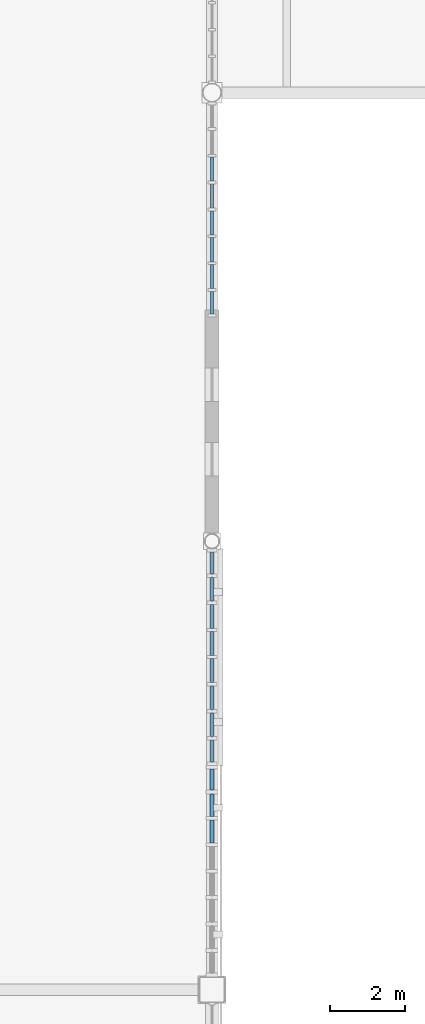
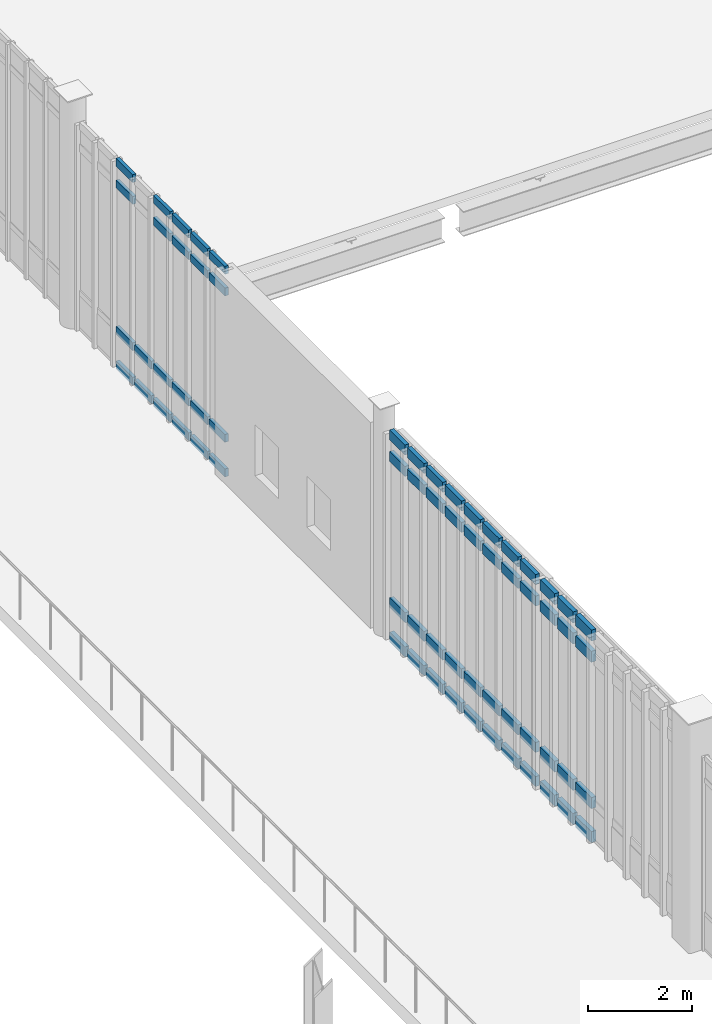
# One storey, part 51 of 135: 66 members, 3 elements without a shape of their own.
"""IFC4 building model written with IfcOpenShell, lengths in metres."""

from ifc_helpers import new_model, si_unit, direction, frame, origin, origin_2d, place, context, subcontext, project, spatial, rectangle, extrude, material, material_profile, profile_set, type_object, element, aggregate, save


model = new_model("IFC4")

# Units and contexts
model_context = context("Model", 3, precision=1e-05, world=origin(), true_north=direction((0.0, 1.0)))
body_context = subcontext(model_context, "Body", "Model", "MODEL_VIEW")
ifc_project = project(units=[si_unit("LENGTHUNIT", "METRE"), si_unit("AREAUNIT", "SQUARE_METRE"), si_unit("VOLUMEUNIT", "CUBIC_METRE"), si_unit("PLANEANGLEUNIT", "RADIAN"), si_unit("MASSUNIT", "GRAM", prefix="KILO")], contexts=[model_context])

# Site, building, storey
site_placement = place(None, origin())
site = spatial("IfcSite", under=ifc_project, at=site_placement, CompositionType="ELEMENT")
building_placement = place(site_placement, origin())
building = spatial("IfcBuilding", under=site, at=building_placement, Name="Larkvane Passage Sports Hall", CompositionType="ELEMENT")
storey_placement = place(building_placement, frame((0.0, 0.0, 16.800048828125)))
storey = spatial("IfcBuildingStorey", under=building, at=storey_placement, Name="L03", CompositionType="ELEMENT", Elevation=16.800048828125)

# Curtain wall, members
ifc_material_1 = material(Name="Thermally broken aluminium and low-E glazing", Category="aluminium")
curtain_wall_type_1 = type_object("IfcCurtainWallType", Name="CW-CLINIC", PredefinedType="USERDEFINED", material=ifc_material_1)
curtain_wall_1_placement = place(storey_placement, origin())
curtain_wall_1 = element("IfcCurtainWall", 1, at=curtain_wall_1_placement, inside=storey, type_object=curtain_wall_type_1, Name="Curtain wall CW5-L03-147", ObjectType="UNITISED CURTAIN WALL", PredefinedType="USERDEFINED")
ifc_material_2 = material(Name="Anodised aluminium 6063-T6", Category="aluminium")
ifc_material_profile_1 = material_profile(ifc_material_2, rectangle(XDim=0.10009765625, YDim=0.260009765625, at=origin_2d()), Name="ALU-TRN-100x260")
ifc_profile_set_1 = profile_set([ifc_material_profile_1], Name="Anodised aluminium 6063-T6")
member_type_1 = type_object("IfcMemberType", Name="CW-TRN-100x260", PredefinedType="USERDEFINED", material=ifc_profile_set_1)
member_1_placement = place(storey_placement, frame((93.60009765625, 45.5, 0.050048828125), z_axis=(0.0, -1.0, 0.0), x_axis=(1.0, 0.0, 0.0)))
member_1 = element("IfcMember", 2, at=member_1_placement, type_object=member_type_1, Name="CW-05 transom 1.1", ObjectType="TRANSOM", PredefinedType="USERDEFINED", context=body_context, shape_type="SweptSolid", body=[
    extrude(rectangle(XDim=0.10009765625, YDim=0.260009765625, at=origin_2d()), origin(), (0.0, 0.0, 1.0), 0.556640625),
])
member_2_placement = place(storey_placement, frame((93.60009765625, 45.5, 0.849853515625), z_axis=(0.0, -1.0, 0.0), x_axis=(1.0, 0.0, 0.0)))
member_2 = element("IfcMember", 3, at=member_2_placement, type_object=member_type_1, Name="CW-05 transom 1.2", ObjectType="TRANSOM", PredefinedType="USERDEFINED", context=body_context, shape_type="SweptSolid", body=[
    extrude(rectangle(XDim=0.10009765625, YDim=0.260009765625, at=origin_2d()), origin(), (0.0, 0.0, 1.0), 0.556640625),
])
member_3_placement = place(storey_placement, frame((93.60009765625, 45.5, 4.29296875), z_axis=(0.0, -1.0, 0.0), x_axis=(1.0, 0.0, 0.0)))
member_3 = element("IfcMember", 4, at=member_3_placement, type_object=member_type_1, Name="CW-05 transom 1.3", ObjectType="TRANSOM", PredefinedType="USERDEFINED", context=body_context, shape_type="SweptSolid", body=[
    extrude(rectangle(XDim=0.10009765625, YDim=0.260009765625, at=origin_2d()), origin(), (0.0, 0.0, 1.0), 0.556640625),
])
member_4_placement = place(storey_placement, frame((93.60009765625, 45.5, 4.79296875), z_axis=(0.0, -1.0, 0.0), x_axis=(1.0, 0.0, 0.0)))
member_4 = element("IfcMember", 5, at=member_4_placement, type_object=member_type_1, Name="CW-05 transom 1.4", ObjectType="TRANSOM", PredefinedType="USERDEFINED", context=body_context, shape_type="SweptSolid", body=[
    extrude(rectangle(XDim=0.10009765625, YDim=0.260009765625, at=origin_2d()), origin(), (0.0, 0.0, 1.0), 0.556640625),
])
member_5_placement = place(storey_placement, frame((93.60009765625, 44.84326171875, 0.050048828125), z_axis=(0.0, -1.0, 0.0), x_axis=(1.0, 0.0, 0.0)))
member_5 = element("IfcMember", 6, at=member_5_placement, type_object=member_type_1, Name="CW-05 transom 2.1", ObjectType="TRANSOM", PredefinedType="USERDEFINED", context=body_context, shape_type="SweptSolid", body=[
    extrude(rectangle(XDim=0.10009765625, YDim=0.260009765625, at=origin_2d()), origin(), (0.0, 0.0, 1.0), 0.606689453125),
])
member_6_placement = place(storey_placement, frame((93.60009765625, 44.84326171875, 0.849853515625), z_axis=(0.0, -1.0, 0.0), x_axis=(1.0, 0.0, 0.0)))
member_6 = element("IfcMember", 7, at=member_6_placement, type_object=member_type_1, Name="CW-05 transom 2.2", ObjectType="TRANSOM", PredefinedType="USERDEFINED", context=body_context, shape_type="SweptSolid", body=[
    extrude(rectangle(XDim=0.10009765625, YDim=0.260009765625, at=origin_2d()), origin(), (0.0, 0.0, 1.0), 0.606689453125),
])
member_7_placement = place(storey_placement, frame((93.60009765625, 44.84326171875, 4.29296875), z_axis=(0.0, -1.0, 0.0), x_axis=(1.0, 0.0, 0.0)))
member_7 = element("IfcMember", 8, at=member_7_placement, type_object=member_type_1, Name="CW-05 transom 2.3", ObjectType="TRANSOM", PredefinedType="USERDEFINED", context=body_context, shape_type="SweptSolid", body=[
    extrude(rectangle(XDim=0.10009765625, YDim=0.260009765625, at=origin_2d()), origin(), (0.0, 0.0, 1.0), 0.606689453125),
])
member_8_placement = place(storey_placement, frame((93.60009765625, 44.84326171875, 4.79296875), z_axis=(0.0, -1.0, 0.0), x_axis=(1.0, 0.0, 0.0)))
member_8 = element("IfcMember", 9, at=member_8_placement, type_object=member_type_1, Name="CW-05 transom 2.4", ObjectType="TRANSOM", PredefinedType="USERDEFINED", context=body_context, shape_type="SweptSolid", body=[
    extrude(rectangle(XDim=0.10009765625, YDim=0.260009765625, at=origin_2d()), origin(), (0.0, 0.0, 1.0), 0.606689453125),
])
member_9_placement = place(storey_placement, frame((93.60009765625, 44.136474609375, 0.050048828125), z_axis=(0.0, -1.0, 0.0), x_axis=(1.0, 0.0, 0.0)))
member_9 = element("IfcMember", 10, at=member_9_placement, type_object=member_type_1, Name="CW-05 transom 3.1", ObjectType="TRANSOM", PredefinedType="USERDEFINED", context=body_context, shape_type="SweptSolid", body=[
    extrude(rectangle(XDim=0.10009765625, YDim=0.260009765625, at=origin_2d()), origin(), (0.0, 0.0, 1.0), 0.606689453125),
])
member_10_placement = place(storey_placement, frame((93.60009765625, 44.136474609375, 0.849853515625), z_axis=(0.0, -1.0, 0.0), x_axis=(1.0, 0.0, 0.0)))
member_10 = element("IfcMember", 11, at=member_10_placement, type_object=member_type_1, Name="CW-05 transom 3.2", ObjectType="TRANSOM", PredefinedType="USERDEFINED", context=body_context, shape_type="SweptSolid", body=[
    extrude(rectangle(XDim=0.10009765625, YDim=0.260009765625, at=origin_2d()), origin(), (0.0, 0.0, 1.0), 0.606689453125),
])
member_11_placement = place(storey_placement, frame((93.60009765625, 44.136474609375, 4.29296875), z_axis=(0.0, -1.0, 0.0), x_axis=(1.0, 0.0, 0.0)))
member_11 = element("IfcMember", 12, at=member_11_placement, type_object=member_type_1, Name="CW-05 transom 3.3", ObjectType="TRANSOM", PredefinedType="USERDEFINED", context=body_context, shape_type="SweptSolid", body=[
    extrude(rectangle(XDim=0.10009765625, YDim=0.260009765625, at=origin_2d()), origin(), (0.0, 0.0, 1.0), 0.606689453125),
])
member_12_placement = place(storey_placement, frame((93.60009765625, 44.136474609375, 4.79296875), z_axis=(0.0, -1.0, 0.0), x_axis=(1.0, 0.0, 0.0)))
member_12 = element("IfcMember", 13, at=member_12_placement, type_object=member_type_1, Name="CW-05 transom 3.4", ObjectType="TRANSOM", PredefinedType="USERDEFINED", context=body_context, shape_type="SweptSolid", body=[
    extrude(rectangle(XDim=0.10009765625, YDim=0.260009765625, at=origin_2d()), origin(), (0.0, 0.0, 1.0), 0.606689453125),
])
aggregate(curtain_wall_1, [member_1, member_2, member_3, member_4, member_5, member_6, member_7, member_8, member_9, member_10, member_11, member_12])

curtain_wall_type_2 = type_object("IfcCurtainWallType", Name="CW-UNIT-VEIL", PredefinedType="USERDEFINED", material=ifc_material_1)
curtain_wall_2_placement = place(storey_placement, origin())
curtain_wall_2 = element("IfcCurtainWall", 14, at=curtain_wall_2_placement, inside=storey, type_object=curtain_wall_type_2, Name="Curtain wall CW5-L03-145", ObjectType="UNITISED CURTAIN WALL", PredefinedType="USERDEFINED")
ifc_material_profile_2 = material_profile(ifc_material_2, rectangle(XDim=0.074951171875, YDim=0.18505859375, at=origin_2d()), Name="ALU-TRN-75x185")
ifc_profile_set_2 = profile_set([ifc_material_profile_2], Name="Anodised aluminium 6063-T6")
member_type_2 = type_object("IfcMemberType", Name="CW-TRN-75x185", PredefinedType="USERDEFINED", material=ifc_profile_set_2)
member_13_placement = place(storey_placement, frame((93.60009765625, 61.875, 0.037353515625), z_axis=(0.0, -1.0, 0.0), x_axis=(1.0, 0.0, 0.0)))
member_13 = element("IfcMember", 15, at=member_13_placement, type_object=member_type_2, Name="CW-02 transom 3.1", ObjectType="TRANSOM", PredefinedType="USERDEFINED", context=body_context, shape_type="SweptSolid", body=[
    extrude(rectangle(XDim=0.074951171875, YDim=0.18505859375, at=origin_2d()), origin(), (0.0, 0.0, 1.0), 0.643798828125),
])
member_14_placement = place(storey_placement, frame((93.60009765625, 61.875, 0.849853515625), z_axis=(0.0, -1.0, 0.0), x_axis=(1.0, 0.0, 0.0)))
member_14 = element("IfcMember", 16, at=member_14_placement, type_object=member_type_2, Name="CW-02 transom 3.2", ObjectType="TRANSOM", PredefinedType="USERDEFINED", context=body_context, shape_type="SweptSolid", body=[
    extrude(rectangle(XDim=0.074951171875, YDim=0.18505859375, at=origin_2d()), origin(), (0.0, 0.0, 1.0), 0.643798828125),
])
member_15_placement = place(storey_placement, frame((93.60009765625, 61.875, 4.29296875), z_axis=(0.0, -1.0, 0.0), x_axis=(1.0, 0.0, 0.0)))
member_15 = element("IfcMember", 17, at=member_15_placement, type_object=member_type_2, Name="CW-02 transom 3.3", ObjectType="TRANSOM", PredefinedType="USERDEFINED", context=body_context, shape_type="SweptSolid", body=[
    extrude(rectangle(XDim=0.074951171875, YDim=0.18505859375, at=origin_2d()), origin(), (0.0, 0.0, 1.0), 0.643798828125),
])
member_16_placement = place(storey_placement, frame((93.60009765625, 61.875, 4.805419921875), z_axis=(0.0, -1.0, 0.0), x_axis=(1.0, 0.0, 0.0)))
member_16 = element("IfcMember", 18, at=member_16_placement, type_object=member_type_2, Name="CW-02 transom 3.4", ObjectType="TRANSOM", PredefinedType="USERDEFINED", context=body_context, shape_type="SweptSolid", body=[
    extrude(rectangle(XDim=0.074951171875, YDim=0.18505859375, at=origin_2d()), origin(), (0.0, 0.0, 1.0), 0.643798828125),
])
member_17_placement = place(storey_placement, frame((93.60009765625, 61.15625, 0.037353515625), z_axis=(0.0, -1.0, 0.0), x_axis=(1.0, 0.0, 0.0)))
member_17 = element("IfcMember", 19, at=member_17_placement, type_object=member_type_2, Name="CW-02 transom 4.1", ObjectType="TRANSOM", PredefinedType="USERDEFINED", context=body_context, shape_type="SweptSolid", body=[
    extrude(rectangle(XDim=0.074951171875, YDim=0.18505859375, at=origin_2d()), origin(), (0.0, 0.0, 1.0), 0.643798828125),
])
member_18_placement = place(storey_placement, frame((93.60009765625, 61.15625, 0.849853515625), z_axis=(0.0, -1.0, 0.0), x_axis=(1.0, 0.0, 0.0)))
member_18 = element("IfcMember", 20, at=member_18_placement, type_object=member_type_2, Name="CW-02 transom 4.2", ObjectType="TRANSOM", PredefinedType="USERDEFINED", context=body_context, shape_type="SweptSolid", body=[
    extrude(rectangle(XDim=0.074951171875, YDim=0.18505859375, at=origin_2d()), origin(), (0.0, 0.0, 1.0), 0.643798828125),
])
member_19_placement = place(storey_placement, frame((93.60009765625, 60.4375, 0.037353515625), z_axis=(0.0, -1.0, 0.0), x_axis=(1.0, 0.0, 0.0)))
member_19 = element("IfcMember", 21, at=member_19_placement, type_object=member_type_2, Name="CW-02 transom 5.1", ObjectType="TRANSOM", PredefinedType="USERDEFINED", context=body_context, shape_type="SweptSolid", body=[
    extrude(rectangle(XDim=0.074951171875, YDim=0.18505859375, at=origin_2d()), origin(), (0.0, 0.0, 1.0), 0.643798828125),
])
member_20_placement = place(storey_placement, frame((93.60009765625, 60.4375, 0.849853515625), z_axis=(0.0, -1.0, 0.0), x_axis=(1.0, 0.0, 0.0)))
member_20 = element("IfcMember", 22, at=member_20_placement, type_object=member_type_2, Name="CW-02 transom 5.2", ObjectType="TRANSOM", PredefinedType="USERDEFINED", context=body_context, shape_type="SweptSolid", body=[
    extrude(rectangle(XDim=0.074951171875, YDim=0.18505859375, at=origin_2d()), origin(), (0.0, 0.0, 1.0), 0.643798828125),
])
member_21_placement = place(storey_placement, frame((93.60009765625, 60.4375, 4.29296875), z_axis=(0.0, -1.0, 0.0), x_axis=(1.0, 0.0, 0.0)))
member_21 = element("IfcMember", 23, at=member_21_placement, type_object=member_type_2, Name="CW-02 transom 5.3", ObjectType="TRANSOM", PredefinedType="USERDEFINED", context=body_context, shape_type="SweptSolid", body=[
    extrude(rectangle(XDim=0.074951171875, YDim=0.18505859375, at=origin_2d()), origin(), (0.0, 0.0, 1.0), 0.643798828125),
])
member_22_placement = place(storey_placement, frame((93.60009765625, 60.4375, 4.805419921875), z_axis=(0.0, -1.0, 0.0), x_axis=(1.0, 0.0, 0.0)))
member_22 = element("IfcMember", 24, at=member_22_placement, type_object=member_type_2, Name="CW-02 transom 5.4", ObjectType="TRANSOM", PredefinedType="USERDEFINED", context=body_context, shape_type="SweptSolid", body=[
    extrude(rectangle(XDim=0.074951171875, YDim=0.18505859375, at=origin_2d()), origin(), (0.0, 0.0, 1.0), 0.643798828125),
])
member_23_placement = place(storey_placement, frame((93.60009765625, 59.71875, 0.037353515625), z_axis=(0.0, -1.0, 0.0), x_axis=(1.0, 0.0, 0.0)))
member_23 = element("IfcMember", 25, at=member_23_placement, type_object=member_type_2, Name="CW-02 transom 6.1", ObjectType="TRANSOM", PredefinedType="USERDEFINED", context=body_context, shape_type="SweptSolid", body=[
    extrude(rectangle(XDim=0.074951171875, YDim=0.18505859375, at=origin_2d()), origin(), (0.0, 0.0, 1.0), 0.643798828125),
])
member_24_placement = place(storey_placement, frame((93.60009765625, 59.71875, 0.849853515625), z_axis=(0.0, -1.0, 0.0), x_axis=(1.0, 0.0, 0.0)))
member_24 = element("IfcMember", 26, at=member_24_placement, type_object=member_type_2, Name="CW-02 transom 6.2", ObjectType="TRANSOM", PredefinedType="USERDEFINED", context=body_context, shape_type="SweptSolid", body=[
    extrude(rectangle(XDim=0.074951171875, YDim=0.18505859375, at=origin_2d()), origin(), (0.0, 0.0, 1.0), 0.643798828125),
])
member_25_placement = place(storey_placement, frame((93.60009765625, 59.71875, 4.29296875), z_axis=(0.0, -1.0, 0.0), x_axis=(1.0, 0.0, 0.0)))
member_25 = element("IfcMember", 27, at=member_25_placement, type_object=member_type_2, Name="CW-02 transom 6.3", ObjectType="TRANSOM", PredefinedType="USERDEFINED", context=body_context, shape_type="SweptSolid", body=[
    extrude(rectangle(XDim=0.074951171875, YDim=0.18505859375, at=origin_2d()), origin(), (0.0, 0.0, 1.0), 0.643798828125),
])
member_26_placement = place(storey_placement, frame((93.60009765625, 59.71875, 4.805419921875), z_axis=(0.0, -1.0, 0.0), x_axis=(1.0, 0.0, 0.0)))
member_26 = element("IfcMember", 28, at=member_26_placement, type_object=member_type_2, Name="CW-02 transom 6.4", ObjectType="TRANSOM", PredefinedType="USERDEFINED", context=body_context, shape_type="SweptSolid", body=[
    extrude(rectangle(XDim=0.074951171875, YDim=0.18505859375, at=origin_2d()), origin(), (0.0, 0.0, 1.0), 0.643798828125),
])
member_27_placement = place(storey_placement, frame((93.60009765625, 59.0, 0.037353515625), z_axis=(0.0, -1.0, 0.0), x_axis=(1.0, 0.0, 0.0)))
member_27 = element("IfcMember", 29, at=member_27_placement, type_object=member_type_2, Name="CW-02 transom 7.1", ObjectType="TRANSOM", PredefinedType="USERDEFINED", context=body_context, shape_type="SweptSolid", body=[
    extrude(rectangle(XDim=0.074951171875, YDim=0.18505859375, at=origin_2d()), origin(), (0.0, 0.0, 1.0), 0.643798828125),
])
member_28_placement = place(storey_placement, frame((93.60009765625, 59.0, 0.849853515625), z_axis=(0.0, -1.0, 0.0), x_axis=(1.0, 0.0, 0.0)))
member_28 = element("IfcMember", 30, at=member_28_placement, type_object=member_type_2, Name="CW-02 transom 7.2", ObjectType="TRANSOM", PredefinedType="USERDEFINED", context=body_context, shape_type="SweptSolid", body=[
    extrude(rectangle(XDim=0.074951171875, YDim=0.18505859375, at=origin_2d()), origin(), (0.0, 0.0, 1.0), 0.643798828125),
])
member_29_placement = place(storey_placement, frame((93.60009765625, 59.0, 4.29296875), z_axis=(0.0, -1.0, 0.0), x_axis=(1.0, 0.0, 0.0)))
member_29 = element("IfcMember", 31, at=member_29_placement, type_object=member_type_2, Name="CW-02 transom 7.3", ObjectType="TRANSOM", PredefinedType="USERDEFINED", context=body_context, shape_type="SweptSolid", body=[
    extrude(rectangle(XDim=0.074951171875, YDim=0.18505859375, at=origin_2d()), origin(), (0.0, 0.0, 1.0), 0.643798828125),
])
member_30_placement = place(storey_placement, frame((93.60009765625, 59.0, 4.805419921875), z_axis=(0.0, -1.0, 0.0), x_axis=(1.0, 0.0, 0.0)))
member_30 = element("IfcMember", 32, at=member_30_placement, type_object=member_type_2, Name="CW-02 transom 7.4", ObjectType="TRANSOM", PredefinedType="USERDEFINED", context=body_context, shape_type="SweptSolid", body=[
    extrude(rectangle(XDim=0.074951171875, YDim=0.18505859375, at=origin_2d()), origin(), (0.0, 0.0, 1.0), 0.643798828125),
])
member_31_placement = place(storey_placement, frame((93.60009765625, 58.28125, 0.037353515625), z_axis=(0.0, -1.0, 0.0), x_axis=(1.0, 0.0, 0.0)))
member_31 = element("IfcMember", 33, at=member_31_placement, type_object=member_type_2, Name="CW-02 transom 8.1", ObjectType="TRANSOM", PredefinedType="USERDEFINED", context=body_context, shape_type="SweptSolid", body=[
    extrude(rectangle(XDim=0.074951171875, YDim=0.18505859375, at=origin_2d()), origin(), (0.0, 0.0, 1.0), 0.606201171875),
])
member_32_placement = place(storey_placement, frame((93.60009765625, 58.28125, 0.849853515625), z_axis=(0.0, -1.0, 0.0), x_axis=(1.0, 0.0, 0.0)))
member_32 = element("IfcMember", 34, at=member_32_placement, type_object=member_type_2, Name="CW-02 transom 8.2", ObjectType="TRANSOM", PredefinedType="USERDEFINED", context=body_context, shape_type="SweptSolid", body=[
    extrude(rectangle(XDim=0.074951171875, YDim=0.18505859375, at=origin_2d()), origin(), (0.0, 0.0, 1.0), 0.606201171875),
])
member_33_placement = place(storey_placement, frame((93.60009765625, 58.28125, 4.29296875), z_axis=(0.0, -1.0, 0.0), x_axis=(1.0, 0.0, 0.0)))
member_33 = element("IfcMember", 35, at=member_33_placement, type_object=member_type_2, Name="CW-02 transom 8.3", ObjectType="TRANSOM", PredefinedType="USERDEFINED", context=body_context, shape_type="SweptSolid", body=[
    extrude(rectangle(XDim=0.074951171875, YDim=0.18505859375, at=origin_2d()), origin(), (0.0, 0.0, 1.0), 0.606201171875),
])
member_34_placement = place(storey_placement, frame((93.60009765625, 58.28125, 4.805419921875), z_axis=(0.0, -1.0, 0.0), x_axis=(1.0, 0.0, 0.0)))
member_34 = element("IfcMember", 36, at=member_34_placement, type_object=member_type_2, Name="CW-02 transom 8.4", ObjectType="TRANSOM", PredefinedType="USERDEFINED", context=body_context, shape_type="SweptSolid", body=[
    extrude(rectangle(XDim=0.074951171875, YDim=0.18505859375, at=origin_2d()), origin(), (0.0, 0.0, 1.0), 0.606201171875),
])
aggregate(curtain_wall_2, [member_13, member_14, member_15, member_16, member_17, member_18, member_19, member_20, member_21, member_22, member_23, member_24, member_25, member_26, member_27, member_28, member_29, member_30, member_31, member_32, member_33, member_34])

curtain_wall_type_3 = type_object("IfcCurtainWallType", Name="CW-STICK-FOYER", PredefinedType="USERDEFINED", material=ifc_material_1)
curtain_wall_3_placement = place(storey_placement, origin())
curtain_wall_3 = element("IfcCurtainWall", 37, at=curtain_wall_3_placement, inside=storey, type_object=curtain_wall_type_3, Name="Curtain wall CW5-L03-146", ObjectType="STICK CURTAIN WALL", PredefinedType="USERDEFINED")
ifc_material_profile_3 = material_profile(ifc_material_2, rectangle(XDim=0.090087890625, YDim=0.235107421875, at=origin_2d()), Name="ALU-TRN-90x235")
ifc_profile_set_3 = profile_set([ifc_material_profile_3], Name="Anodised aluminium 6063-T6")
member_type_3 = type_object("IfcMemberType", Name="CW-TRN-90x235", PredefinedType="USERDEFINED", material=ifc_profile_set_3)
member_35_placement = place(storey_placement, frame((93.60009765625, 51.310791015625, 0.044921875), z_axis=(0.0, -1.0, 0.0), x_axis=(1.0, 0.0, 0.0)))
member_35 = element("IfcMember", 38, at=member_35_placement, type_object=member_type_3, Name="CW-03 transom 1.1", ObjectType="TRANSOM", PredefinedType="USERDEFINED", context=body_context, shape_type="SweptSolid", body=[
    extrude(rectangle(XDim=0.090087890625, YDim=0.235107421875, at=origin_2d()), origin(), (0.0, 0.0, 1.0), 0.590087890625),
])
member_36_placement = place(storey_placement, frame((93.60009765625, 51.310791015625, 0.849853515625), z_axis=(0.0, -1.0, 0.0), x_axis=(1.0, 0.0, 0.0)))
member_36 = element("IfcMember", 39, at=member_36_placement, type_object=member_type_3, Name="CW-03 transom 1.2", ObjectType="TRANSOM", PredefinedType="USERDEFINED", context=body_context, shape_type="SweptSolid", body=[
    extrude(rectangle(XDim=0.090087890625, YDim=0.235107421875, at=origin_2d()), origin(), (0.0, 0.0, 1.0), 0.590087890625),
])
member_37_placement = place(storey_placement, frame((93.60009765625, 51.310791015625, 4.29296875), z_axis=(0.0, -1.0, 0.0), x_axis=(1.0, 0.0, 0.0)))
member_37 = element("IfcMember", 40, at=member_37_placement, type_object=member_type_3, Name="CW-03 transom 1.3", ObjectType="TRANSOM", PredefinedType="USERDEFINED", context=body_context, shape_type="SweptSolid", body=[
    extrude(rectangle(XDim=0.090087890625, YDim=0.235107421875, at=origin_2d()), origin(), (0.0, 0.0, 1.0), 0.590087890625),
])
member_38_placement = place(storey_placement, frame((93.60009765625, 51.310791015625, 4.7978515625), z_axis=(0.0, -1.0, 0.0), x_axis=(1.0, 0.0, 0.0)))
member_38 = element("IfcMember", 41, at=member_38_placement, type_object=member_type_3, Name="CW-03 transom 1.4", ObjectType="TRANSOM", PredefinedType="USERDEFINED", context=body_context, shape_type="SweptSolid", body=[
    extrude(rectangle(XDim=0.090087890625, YDim=0.235107421875, at=origin_2d()), origin(), (0.0, 0.0, 1.0), 0.590087890625),
])
member_39_placement = place(storey_placement, frame((93.60009765625, 50.630615234375, 0.044921875), z_axis=(0.0, -1.0, 0.0), x_axis=(1.0, 0.0, 0.0)))
member_39 = element("IfcMember", 42, at=member_39_placement, type_object=member_type_3, Name="CW-03 transom 2.1", ObjectType="TRANSOM", PredefinedType="USERDEFINED", context=body_context, shape_type="SweptSolid", body=[
    extrude(rectangle(XDim=0.090087890625, YDim=0.235107421875, at=origin_2d()), origin(), (0.0, 0.0, 1.0), 0.635009765625),
])
member_40_placement = place(storey_placement, frame((93.60009765625, 50.630615234375, 0.849853515625), z_axis=(0.0, -1.0, 0.0), x_axis=(1.0, 0.0, 0.0)))
member_40 = element("IfcMember", 43, at=member_40_placement, type_object=member_type_3, Name="CW-03 transom 2.2", ObjectType="TRANSOM", PredefinedType="USERDEFINED", context=body_context, shape_type="SweptSolid", body=[
    extrude(rectangle(XDim=0.090087890625, YDim=0.235107421875, at=origin_2d()), origin(), (0.0, 0.0, 1.0), 0.635009765625),
])
member_41_placement = place(storey_placement, frame((93.60009765625, 50.630615234375, 4.29296875), z_axis=(0.0, -1.0, 0.0), x_axis=(1.0, 0.0, 0.0)))
member_41 = element("IfcMember", 44, at=member_41_placement, type_object=member_type_3, Name="CW-03 transom 2.3", ObjectType="TRANSOM", PredefinedType="USERDEFINED", context=body_context, shape_type="SweptSolid", body=[
    extrude(rectangle(XDim=0.090087890625, YDim=0.235107421875, at=origin_2d()), origin(), (0.0, 0.0, 1.0), 0.635009765625),
])
member_42_placement = place(storey_placement, frame((93.60009765625, 50.630615234375, 4.7978515625), z_axis=(0.0, -1.0, 0.0), x_axis=(1.0, 0.0, 0.0)))
member_42 = element("IfcMember", 45, at=member_42_placement, type_object=member_type_3, Name="CW-03 transom 2.4", ObjectType="TRANSOM", PredefinedType="USERDEFINED", context=body_context, shape_type="SweptSolid", body=[
    extrude(rectangle(XDim=0.090087890625, YDim=0.235107421875, at=origin_2d()), origin(), (0.0, 0.0, 1.0), 0.635009765625),
])
member_43_placement = place(storey_placement, frame((93.60009765625, 49.905517578125, 0.044921875), z_axis=(0.0, -1.0, 0.0), x_axis=(1.0, 0.0, 0.0)))
member_43 = element("IfcMember", 46, at=member_43_placement, type_object=member_type_3, Name="CW-03 transom 3.1", ObjectType="TRANSOM", PredefinedType="USERDEFINED", context=body_context, shape_type="SweptSolid", body=[
    extrude(rectangle(XDim=0.090087890625, YDim=0.235107421875, at=origin_2d()), origin(), (0.0, 0.0, 1.0), 0.635009765625),
])
member_44_placement = place(storey_placement, frame((93.60009765625, 49.905517578125, 0.849853515625), z_axis=(0.0, -1.0, 0.0), x_axis=(1.0, 0.0, 0.0)))
member_44 = element("IfcMember", 47, at=member_44_placement, type_object=member_type_3, Name="CW-03 transom 3.2", ObjectType="TRANSOM", PredefinedType="USERDEFINED", context=body_context, shape_type="SweptSolid", body=[
    extrude(rectangle(XDim=0.090087890625, YDim=0.235107421875, at=origin_2d()), origin(), (0.0, 0.0, 1.0), 0.635009765625),
])
member_45_placement = place(storey_placement, frame((93.60009765625, 49.905517578125, 4.29296875), z_axis=(0.0, -1.0, 0.0), x_axis=(1.0, 0.0, 0.0)))
member_45 = element("IfcMember", 48, at=member_45_placement, type_object=member_type_3, Name="CW-03 transom 3.3", ObjectType="TRANSOM", PredefinedType="USERDEFINED", context=body_context, shape_type="SweptSolid", body=[
    extrude(rectangle(XDim=0.090087890625, YDim=0.235107421875, at=origin_2d()), origin(), (0.0, 0.0, 1.0), 0.635009765625),
])
member_46_placement = place(storey_placement, frame((93.60009765625, 49.905517578125, 4.7978515625), z_axis=(0.0, -1.0, 0.0), x_axis=(1.0, 0.0, 0.0)))
member_46 = element("IfcMember", 49, at=member_46_placement, type_object=member_type_3, Name="CW-03 transom 3.4", ObjectType="TRANSOM", PredefinedType="USERDEFINED", context=body_context, shape_type="SweptSolid", body=[
    extrude(rectangle(XDim=0.090087890625, YDim=0.235107421875, at=origin_2d()), origin(), (0.0, 0.0, 1.0), 0.635009765625),
])
member_47_placement = place(storey_placement, frame((93.60009765625, 49.180419921875, 0.044921875), z_axis=(0.0, -1.0, 0.0), x_axis=(1.0, 0.0, 0.0)))
member_47 = element("IfcMember", 50, at=member_47_placement, type_object=member_type_3, Name="CW-03 transom 4.1", ObjectType="TRANSOM", PredefinedType="USERDEFINED", context=body_context, shape_type="SweptSolid", body=[
    extrude(rectangle(XDim=0.090087890625, YDim=0.235107421875, at=origin_2d()), origin(), (0.0, 0.0, 1.0), 0.635009765625),
])
member_48_placement = place(storey_placement, frame((93.60009765625, 49.180419921875, 0.849853515625), z_axis=(0.0, -1.0, 0.0), x_axis=(1.0, 0.0, 0.0)))
member_48 = element("IfcMember", 51, at=member_48_placement, type_object=member_type_3, Name="CW-03 transom 4.2", ObjectType="TRANSOM", PredefinedType="USERDEFINED", context=body_context, shape_type="SweptSolid", body=[
    extrude(rectangle(XDim=0.090087890625, YDim=0.235107421875, at=origin_2d()), origin(), (0.0, 0.0, 1.0), 0.635009765625),
])
member_49_placement = place(storey_placement, frame((93.60009765625, 49.180419921875, 4.29296875), z_axis=(0.0, -1.0, 0.0), x_axis=(1.0, 0.0, 0.0)))
member_49 = element("IfcMember", 52, at=member_49_placement, type_object=member_type_3, Name="CW-03 transom 4.3", ObjectType="TRANSOM", PredefinedType="USERDEFINED", context=body_context, shape_type="SweptSolid", body=[
    extrude(rectangle(XDim=0.090087890625, YDim=0.235107421875, at=origin_2d()), origin(), (0.0, 0.0, 1.0), 0.635009765625),
])
member_50_placement = place(storey_placement, frame((93.60009765625, 49.180419921875, 4.7978515625), z_axis=(0.0, -1.0, 0.0), x_axis=(1.0, 0.0, 0.0)))
member_50 = element("IfcMember", 53, at=member_50_placement, type_object=member_type_3, Name="CW-03 transom 4.4", ObjectType="TRANSOM", PredefinedType="USERDEFINED", context=body_context, shape_type="SweptSolid", body=[
    extrude(rectangle(XDim=0.090087890625, YDim=0.235107421875, at=origin_2d()), origin(), (0.0, 0.0, 1.0), 0.635009765625),
])
member_51_placement = place(storey_placement, frame((93.60009765625, 48.455322265625, 0.044921875), z_axis=(0.0, -1.0, 0.0), x_axis=(1.0, 0.0, 0.0)))
member_51 = element("IfcMember", 54, at=member_51_placement, type_object=member_type_3, Name="CW-03 transom 5.1", ObjectType="TRANSOM", PredefinedType="USERDEFINED", context=body_context, shape_type="SweptSolid", body=[
    extrude(rectangle(XDim=0.090087890625, YDim=0.235107421875, at=origin_2d()), origin(), (0.0, 0.0, 1.0), 0.635009765625),
])
member_52_placement = place(storey_placement, frame((93.60009765625, 48.455322265625, 0.849853515625), z_axis=(0.0, -1.0, 0.0), x_axis=(1.0, 0.0, 0.0)))
member_52 = element("IfcMember", 55, at=member_52_placement, type_object=member_type_3, Name="CW-03 transom 5.2", ObjectType="TRANSOM", PredefinedType="USERDEFINED", context=body_context, shape_type="SweptSolid", body=[
    extrude(rectangle(XDim=0.090087890625, YDim=0.235107421875, at=origin_2d()), origin(), (0.0, 0.0, 1.0), 0.635009765625),
])
member_53_placement = place(storey_placement, frame((93.60009765625, 48.455322265625, 4.29296875), z_axis=(0.0, -1.0, 0.0), x_axis=(1.0, 0.0, 0.0)))
member_53 = element("IfcMember", 56, at=member_53_placement, type_object=member_type_3, Name="CW-03 transom 5.3", ObjectType="TRANSOM", PredefinedType="USERDEFINED", context=body_context, shape_type="SweptSolid", body=[
    extrude(rectangle(XDim=0.090087890625, YDim=0.235107421875, at=origin_2d()), origin(), (0.0, 0.0, 1.0), 0.635009765625),
])
member_54_placement = place(storey_placement, frame((93.60009765625, 48.455322265625, 4.7978515625), z_axis=(0.0, -1.0, 0.0), x_axis=(1.0, 0.0, 0.0)))
member_54 = element("IfcMember", 57, at=member_54_placement, type_object=member_type_3, Name="CW-03 transom 5.4", ObjectType="TRANSOM", PredefinedType="USERDEFINED", context=body_context, shape_type="SweptSolid", body=[
    extrude(rectangle(XDim=0.090087890625, YDim=0.235107421875, at=origin_2d()), origin(), (0.0, 0.0, 1.0), 0.635009765625),
])
member_55_placement = place(storey_placement, frame((93.60009765625, 47.730224609375, 0.044921875), z_axis=(0.0, -1.0, 0.0), x_axis=(1.0, 0.0, 0.0)))
member_55 = element("IfcMember", 58, at=member_55_placement, type_object=member_type_3, Name="CW-03 transom 6.1", ObjectType="TRANSOM", PredefinedType="USERDEFINED", context=body_context, shape_type="SweptSolid", body=[
    extrude(rectangle(XDim=0.090087890625, YDim=0.235107421875, at=origin_2d()), origin(), (0.0, 0.0, 1.0), 0.635009765625),
])
member_56_placement = place(storey_placement, frame((93.60009765625, 47.730224609375, 0.849853515625), z_axis=(0.0, -1.0, 0.0), x_axis=(1.0, 0.0, 0.0)))
member_56 = element("IfcMember", 59, at=member_56_placement, type_object=member_type_3, Name="CW-03 transom 6.2", ObjectType="TRANSOM", PredefinedType="USERDEFINED", context=body_context, shape_type="SweptSolid", body=[
    extrude(rectangle(XDim=0.090087890625, YDim=0.235107421875, at=origin_2d()), origin(), (0.0, 0.0, 1.0), 0.635009765625),
])
member_57_placement = place(storey_placement, frame((93.60009765625, 47.730224609375, 4.29296875), z_axis=(0.0, -1.0, 0.0), x_axis=(1.0, 0.0, 0.0)))
member_57 = element("IfcMember", 60, at=member_57_placement, type_object=member_type_3, Name="CW-03 transom 6.3", ObjectType="TRANSOM", PredefinedType="USERDEFINED", context=body_context, shape_type="SweptSolid", body=[
    extrude(rectangle(XDim=0.090087890625, YDim=0.235107421875, at=origin_2d()), origin(), (0.0, 0.0, 1.0), 0.635009765625),
])
member_58_placement = place(storey_placement, frame((93.60009765625, 47.730224609375, 4.7978515625), z_axis=(0.0, -1.0, 0.0), x_axis=(1.0, 0.0, 0.0)))
member_58 = element("IfcMember", 61, at=member_58_placement, type_object=member_type_3, Name="CW-03 transom 6.4", ObjectType="TRANSOM", PredefinedType="USERDEFINED", context=body_context, shape_type="SweptSolid", body=[
    extrude(rectangle(XDim=0.090087890625, YDim=0.235107421875, at=origin_2d()), origin(), (0.0, 0.0, 1.0), 0.635009765625),
])
member_59_placement = place(storey_placement, frame((93.60009765625, 47.005126953125, 0.044921875), z_axis=(0.0, -1.0, 0.0), x_axis=(1.0, 0.0, 0.0)))
member_59 = element("IfcMember", 62, at=member_59_placement, type_object=member_type_3, Name="CW-03 transom 7.1", ObjectType="TRANSOM", PredefinedType="USERDEFINED", context=body_context, shape_type="SweptSolid", body=[
    extrude(rectangle(XDim=0.090087890625, YDim=0.235107421875, at=origin_2d()), origin(), (0.0, 0.0, 1.0), 0.635009765625),
])
member_60_placement = place(storey_placement, frame((93.60009765625, 47.005126953125, 0.849853515625), z_axis=(0.0, -1.0, 0.0), x_axis=(1.0, 0.0, 0.0)))
member_60 = element("IfcMember", 63, at=member_60_placement, type_object=member_type_3, Name="CW-03 transom 7.2", ObjectType="TRANSOM", PredefinedType="USERDEFINED", context=body_context, shape_type="SweptSolid", body=[
    extrude(rectangle(XDim=0.090087890625, YDim=0.235107421875, at=origin_2d()), origin(), (0.0, 0.0, 1.0), 0.635009765625),
])
member_61_placement = place(storey_placement, frame((93.60009765625, 47.005126953125, 4.29296875), z_axis=(0.0, -1.0, 0.0), x_axis=(1.0, 0.0, 0.0)))
member_61 = element("IfcMember", 64, at=member_61_placement, type_object=member_type_3, Name="CW-03 transom 7.3", ObjectType="TRANSOM", PredefinedType="USERDEFINED", context=body_context, shape_type="SweptSolid", body=[
    extrude(rectangle(XDim=0.090087890625, YDim=0.235107421875, at=origin_2d()), origin(), (0.0, 0.0, 1.0), 0.635009765625),
])
member_62_placement = place(storey_placement, frame((93.60009765625, 47.005126953125, 4.7978515625), z_axis=(0.0, -1.0, 0.0), x_axis=(1.0, 0.0, 0.0)))
member_62 = element("IfcMember", 65, at=member_62_placement, type_object=member_type_3, Name="CW-03 transom 7.4", ObjectType="TRANSOM", PredefinedType="USERDEFINED", context=body_context, shape_type="SweptSolid", body=[
    extrude(rectangle(XDim=0.090087890625, YDim=0.235107421875, at=origin_2d()), origin(), (0.0, 0.0, 1.0), 0.635009765625),
])
member_63_placement = place(storey_placement, frame((93.60009765625, 46.280029296875, 0.044921875), z_axis=(0.0, -1.0, 0.0), x_axis=(1.0, 0.0, 0.0)))
member_63 = element("IfcMember", 66, at=member_63_placement, type_object=member_type_3, Name="CW-03 transom 8.1", ObjectType="TRANSOM", PredefinedType="USERDEFINED", context=body_context, shape_type="SweptSolid", body=[
    extrude(rectangle(XDim=0.090087890625, YDim=0.235107421875, at=origin_2d()), origin(), (0.0, 0.0, 1.0), 0.590087890625),
])
member_64_placement = place(storey_placement, frame((93.60009765625, 46.280029296875, 0.849853515625), z_axis=(0.0, -1.0, 0.0), x_axis=(1.0, 0.0, 0.0)))
member_64 = element("IfcMember", 67, at=member_64_placement, type_object=member_type_3, Name="CW-03 transom 8.2", ObjectType="TRANSOM", PredefinedType="USERDEFINED", context=body_context, shape_type="SweptSolid", body=[
    extrude(rectangle(XDim=0.090087890625, YDim=0.235107421875, at=origin_2d()), origin(), (0.0, 0.0, 1.0), 0.590087890625),
])
member_65_placement = place(storey_placement, frame((93.60009765625, 46.280029296875, 4.29296875), z_axis=(0.0, -1.0, 0.0), x_axis=(1.0, 0.0, 0.0)))
member_65 = element("IfcMember", 68, at=member_65_placement, type_object=member_type_3, Name="CW-03 transom 8.3", ObjectType="TRANSOM", PredefinedType="USERDEFINED", context=body_context, shape_type="SweptSolid", body=[
    extrude(rectangle(XDim=0.090087890625, YDim=0.235107421875, at=origin_2d()), origin(), (0.0, 0.0, 1.0), 0.590087890625),
])
member_66_placement = place(storey_placement, frame((93.60009765625, 46.280029296875, 4.7978515625), z_axis=(0.0, -1.0, 0.0), x_axis=(1.0, 0.0, 0.0)))
member_66 = element("IfcMember", 69, at=member_66_placement, type_object=member_type_3, Name="CW-03 transom 8.4", ObjectType="TRANSOM", PredefinedType="USERDEFINED", context=body_context, shape_type="SweptSolid", body=[
    extrude(rectangle(XDim=0.090087890625, YDim=0.235107421875, at=origin_2d()), origin(), (0.0, 0.0, 1.0), 0.590087890625),
])
aggregate(curtain_wall_3, [member_35, member_36, member_37, member_38, member_39, member_40, member_41, member_42, member_43, member_44, member_45, member_46, member_47, member_48, member_49, member_50, member_51, member_52, member_53, member_54, member_55, member_56, member_57, member_58, member_59, member_60, member_61, member_62, member_63, member_64, member_65, member_66])

save(model, "model.ifc")
